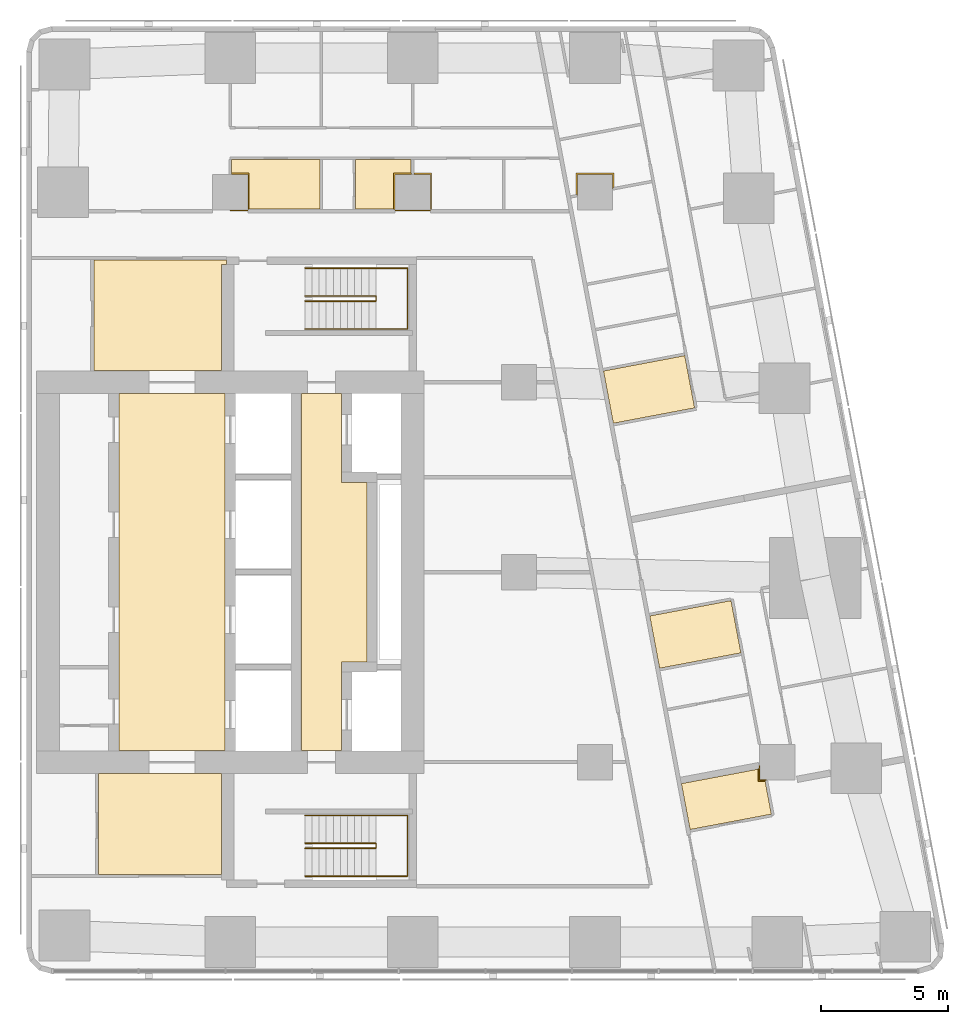
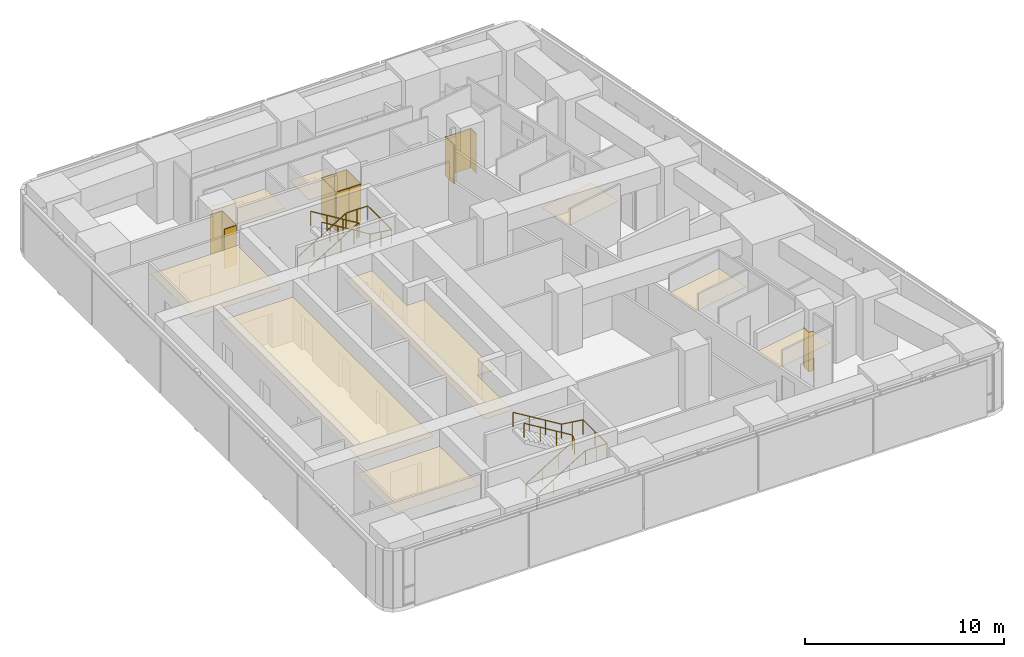
# One storey, part 11 of 11: 14 coverings, 4 railings.
"""IFC4 building model written with IfcOpenShell, lengths in metres."""

from ifc_helpers import new_model, si_unit, direction, frame, origin, origin_2d, place, context, subcontext, project, spatial, polyline, circle, outline, extrude, material, layer, layer_set, type_object, element, save


model = new_model("IFC4")

# Units and contexts
model_context = context("Model", 3, precision=1e-05, world=origin(), true_north=direction((0.0, 1.0)))
body_context = subcontext(model_context, "Body", "Model", "MODEL_VIEW")
ifc_project = project(units=[si_unit("LENGTHUNIT", "METRE"), si_unit("AREAUNIT", "SQUARE_METRE"), si_unit("VOLUMEUNIT", "CUBIC_METRE"), si_unit("PLANEANGLEUNIT", "RADIAN"), si_unit("MASSUNIT", "GRAM", prefix="KILO")], contexts=[model_context])

# Site, building, storey
site_placement = place(None, origin())
site = spatial("IfcSite", under=ifc_project, at=site_placement, CompositionType="ELEMENT")
building_placement = place(site_placement, origin())
building = spatial("IfcBuilding", under=site, at=building_placement, Name="Sheger Commons Tower", CompositionType="ELEMENT")
storey_placement = place(building_placement, frame((0.0, 0.0, 266.60009765625)))
storey = spatial("IfcBuildingStorey", under=building, at=storey_placement, Name="L68", CompositionType="ELEMENT", Elevation=266.60009765625)

# Railings
ifc_material_1 = material(Name="Steel handrail, black powder-coated", Category="steel")
railing_type = type_object("IfcRailingType", Name="HANDRAIL 900", PredefinedType="HANDRAIL", material=ifc_material_1)
railing_1_placement = place(storey_placement, frame((24.550048828125, 11.60009765625, 0.17041015625)))
element("IfcRailing", 1, at=railing_1_placement, inside=storey, type_object=railing_type, Name="Stair S1 handrail L68", PredefinedType="HANDRAIL", context=body_context, shape_type="SweptSolid", body=[
    extrude(circle(Radius=0.02392578125, at=origin_2d()), frame((0.0, 0.0, 0.8759765625), z_axis=(0.854169791009, 0.0, 0.51999420009), x_axis=(0.0, 1.0, 0.0)), (0.0, 0.0, 1.0), 3.278076171875),
    extrude(circle(Radius=0.02392578125, at=origin_2d()), frame((2.800048828125, 0.0, 2.58056640625), z_axis=(0.0, 0.761090297175, 0.648645943136), x_axis=(-1.0, 0.0, 0.0)), (0.0, 0.0, 1.0), 0.2626953125),
    extrude(circle(Radius=0.02392578125, at=origin_2d()), frame((2.800048828125, 0.199951171875, 2.7509765625), z_axis=(-0.854169791009, 0.0, 0.51999420009), x_axis=(0.0, -1.0, 0.0)), (0.0, 0.0, 1.0), 3.278076171875),
    extrude(circle(Radius=0.02099609375, at=origin_2d()), origin(), (0.0, 0.0, 1.0), 0.851806640625),
    extrude(circle(Radius=0.02099609375, at=origin_2d()), frame((0.933349609375, 0.0, 0.568115234375)), (0.0, 0.0, 1.0), 0.851806640625),
    extrude(circle(Radius=0.02099609375, at=origin_2d()), frame((1.86669921875, 0.0, 1.136474609375)), (0.0, 0.0, 1.0), 0.851806640625),
    extrude(circle(Radius=0.02099609375, at=origin_2d()), frame((2.800048828125, 0.0, 1.70458984375)), (0.0, 0.0, 1.0), 0.851806640625),
    extrude(circle(Radius=0.02099609375, at=origin_2d()), frame((2.800048828125, 0.199951171875, 1.875)), (0.0, 0.0, 1.0), 0.851806640625),
    extrude(circle(Radius=0.02099609375, at=origin_2d()), frame((1.86669921875, 0.199951171875, 2.443115234375)), (0.0, 0.0, 1.0), 0.851806640625),
    extrude(circle(Radius=0.02099609375, at=origin_2d()), frame((0.933349609375, 0.199951171875, 3.011474609375)), (0.0, 0.0, 1.0), 0.851806640625),
    extrude(circle(Radius=0.02099609375, at=origin_2d()), frame((0.0, 0.199951171875, 3.57958984375)), (0.0, 0.0, 1.0), 0.851806640625),
])
railing_2_placement = place(storey_placement, frame((24.550048828125, 10.5, 0.17041015625)))
element("IfcRailing", 2, at=railing_2_placement, inside=storey, type_object=railing_type, Name="Stair S1 handrail L68", PredefinedType="HANDRAIL", context=body_context, shape_type="SweptSolid", body=[
    extrude(circle(Radius=0.02392578125, at=origin_2d()), frame((0.0, 0.0, 0.8759765625), z_axis=(0.854169791009, 0.0, 0.51999420009), x_axis=(0.0, 1.0, 0.0)), (0.0, 0.0, 1.0), 3.278076171875),
    extrude(circle(Radius=0.02392578125, at=origin_2d()), frame((2.800048828125, 0.0, 2.58056640625), z_axis=(1.0, 0.0, 0.0), x_axis=(0.0, 1.0, 0.0)), (0.0, 0.0, 1.0), 1.25),
    extrude(circle(Radius=0.02392578125, at=origin_2d()), frame((4.050048828125, 0.0, 2.58056640625), z_axis=(0.0, 1.0, 0.0), x_axis=(-1.0, 0.0, 0.0)), (0.0, 0.0, 1.0), 2.39990234375),
    extrude(circle(Radius=0.02392578125, at=origin_2d()), frame((4.050048828125, 2.39990234375, 2.58056640625), z_axis=(-0.990834877927, 0.0, 0.135078661092), x_axis=(0.0, -1.0, 0.0)), (0.0, 0.0, 1.0), 1.261474609375),
    extrude(circle(Radius=0.02392578125, at=origin_2d()), frame((2.800048828125, 2.39990234375, 2.7509765625), z_axis=(-0.854169791009, 0.0, 0.51999420009), x_axis=(0.0, -1.0, 0.0)), (0.0, 0.0, 1.0), 3.278076171875),
    extrude(circle(Radius=0.02099609375, at=origin_2d()), origin(), (0.0, 0.0, 1.0), 0.851806640625),
    extrude(circle(Radius=0.02099609375, at=origin_2d()), frame((0.933349609375, 0.0, 0.568115234375)), (0.0, 0.0, 1.0), 0.851806640625),
    extrude(circle(Radius=0.02099609375, at=origin_2d()), frame((1.86669921875, 0.0, 1.136474609375)), (0.0, 0.0, 1.0), 0.851806640625),
    extrude(circle(Radius=0.02099609375, at=origin_2d()), frame((2.800048828125, 0.0, 1.70458984375)), (0.0, 0.0, 1.0), 0.851806640625),
    extrude(circle(Radius=0.02099609375, at=origin_2d()), frame((3.425048828125, 0.0, 1.70458984375)), (0.0, 0.0, 1.0), 0.851806640625),
    extrude(circle(Radius=0.02099609375, at=origin_2d()), frame((4.050048828125, 0.0, 1.70458984375)), (0.0, 0.0, 1.0), 0.851806640625),
    extrude(circle(Radius=0.02099609375, at=origin_2d()), frame((4.050048828125, 1.199951171875, 1.70458984375)), (0.0, 0.0, 1.0), 0.851806640625),
    extrude(circle(Radius=0.02099609375, at=origin_2d()), frame((4.050048828125, 2.39990234375, 1.70458984375)), (0.0, 0.0, 1.0), 0.851806640625),
    extrude(circle(Radius=0.02099609375, at=origin_2d()), frame((3.425048828125, 2.39990234375, 1.789794921875)), (0.0, 0.0, 1.0), 0.851806640625),
    extrude(circle(Radius=0.02099609375, at=origin_2d()), frame((2.800048828125, 2.39990234375, 1.875)), (0.0, 0.0, 1.0), 0.851806640625),
    extrude(circle(Radius=0.02099609375, at=origin_2d()), frame((1.86669921875, 2.39990234375, 2.443115234375)), (0.0, 0.0, 1.0), 0.851806640625),
    extrude(circle(Radius=0.02099609375, at=origin_2d()), frame((0.933349609375, 2.39990234375, 3.011474609375)), (0.0, 0.0, 1.0), 0.851806640625),
    extrude(circle(Radius=0.02099609375, at=origin_2d()), frame((0.0, 2.39990234375, 3.57958984375)), (0.0, 0.0, 1.0), 0.851806640625),
])
railing_3_placement = place(storey_placement, frame((24.550048828125, 33.39990234375, 0.17041015625)))
element("IfcRailing", 3, at=railing_3_placement, inside=storey, type_object=railing_type, Name="Stair S2 handrail L68", PredefinedType="HANDRAIL", context=body_context, shape_type="SweptSolid", body=[
    extrude(circle(Radius=0.02392578125, at=origin_2d()), frame((0.0, 0.0, 0.8759765625), z_axis=(0.854169791009, 0.0, 0.51999420009), x_axis=(0.0, 1.0, 0.0)), (0.0, 0.0, 1.0), 3.278076171875),
    extrude(circle(Radius=0.02392578125, at=origin_2d()), frame((2.800048828125, 0.0, 2.58056640625), z_axis=(0.0, -0.761090297175, 0.648645943136), x_axis=(1.0, 0.0, 0.0)), (0.0, 0.0, 1.0), 0.2626953125),
    extrude(circle(Radius=0.02392578125, at=origin_2d()), frame((2.800048828125, -0.199951171875, 2.7509765625), z_axis=(-0.854169791009, 0.0, 0.51999420009), x_axis=(0.0, -1.0, 0.0)), (0.0, 0.0, 1.0), 3.278076171875),
    extrude(circle(Radius=0.02099609375, at=origin_2d()), origin(), (0.0, 0.0, 1.0), 0.851806640625),
    extrude(circle(Radius=0.02099609375, at=origin_2d()), frame((0.933349609375, 0.0, 0.568115234375)), (0.0, 0.0, 1.0), 0.851806640625),
    extrude(circle(Radius=0.02099609375, at=origin_2d()), frame((1.86669921875, 0.0, 1.136474609375)), (0.0, 0.0, 1.0), 0.851806640625),
    extrude(circle(Radius=0.02099609375, at=origin_2d()), frame((2.800048828125, 0.0, 1.70458984375)), (0.0, 0.0, 1.0), 0.851806640625),
    extrude(circle(Radius=0.02099609375, at=origin_2d()), frame((2.800048828125, -0.199951171875, 1.875)), (0.0, 0.0, 1.0), 0.851806640625),
    extrude(circle(Radius=0.02099609375, at=origin_2d()), frame((1.86669921875, -0.199951171875, 2.443115234375)), (0.0, 0.0, 1.0), 0.851806640625),
    extrude(circle(Radius=0.02099609375, at=origin_2d()), frame((0.933349609375, -0.199951171875, 3.011474609375)), (0.0, 0.0, 1.0), 0.851806640625),
    extrude(circle(Radius=0.02099609375, at=origin_2d()), frame((0.0, -0.199951171875, 3.57958984375)), (0.0, 0.0, 1.0), 0.851806640625),
])
railing_4_placement = place(storey_placement, frame((24.550048828125, 34.5, 0.17041015625)))
element("IfcRailing", 4, at=railing_4_placement, inside=storey, type_object=railing_type, Name="Stair S2 handrail L68", PredefinedType="HANDRAIL", context=body_context, shape_type="SweptSolid", body=[
    extrude(circle(Radius=0.02392578125, at=origin_2d()), frame((0.0, 0.0, 0.8759765625), z_axis=(0.854169791009, 0.0, 0.51999420009), x_axis=(0.0, 1.0, 0.0)), (0.0, 0.0, 1.0), 3.278076171875),
    extrude(circle(Radius=0.02392578125, at=origin_2d()), frame((2.800048828125, 0.0, 2.58056640625), z_axis=(1.0, 0.0, 0.0), x_axis=(0.0, 1.0, 0.0)), (0.0, 0.0, 1.0), 1.25),
    extrude(circle(Radius=0.02392578125, at=origin_2d()), frame((4.050048828125, 0.0, 2.58056640625), z_axis=(0.0, -1.0, 0.0), x_axis=(1.0, 0.0, 0.0)), (0.0, 0.0, 1.0), 2.39990234375),
    extrude(circle(Radius=0.02392578125, at=origin_2d()), frame((4.050048828125, -2.39990234375, 2.58056640625), z_axis=(-0.990834877927, 0.0, 0.135078661092), x_axis=(0.0, -1.0, 0.0)), (0.0, 0.0, 1.0), 1.261474609375),
    extrude(circle(Radius=0.02392578125, at=origin_2d()), frame((2.800048828125, -2.39990234375, 2.7509765625), z_axis=(-0.854169791009, 0.0, 0.51999420009), x_axis=(0.0, -1.0, 0.0)), (0.0, 0.0, 1.0), 3.278076171875),
    extrude(circle(Radius=0.02099609375, at=origin_2d()), origin(), (0.0, 0.0, 1.0), 0.851806640625),
    extrude(circle(Radius=0.02099609375, at=origin_2d()), frame((0.933349609375, 0.0, 0.568115234375)), (0.0, 0.0, 1.0), 0.851806640625),
    extrude(circle(Radius=0.02099609375, at=origin_2d()), frame((1.86669921875, 0.0, 1.136474609375)), (0.0, 0.0, 1.0), 0.851806640625),
    extrude(circle(Radius=0.02099609375, at=origin_2d()), frame((2.800048828125, 0.0, 1.70458984375)), (0.0, 0.0, 1.0), 0.851806640625),
    extrude(circle(Radius=0.02099609375, at=origin_2d()), frame((3.425048828125, 0.0, 1.70458984375)), (0.0, 0.0, 1.0), 0.851806640625),
    extrude(circle(Radius=0.02099609375, at=origin_2d()), frame((4.050048828125, 0.0, 1.70458984375)), (0.0, 0.0, 1.0), 0.851806640625),
    extrude(circle(Radius=0.02099609375, at=origin_2d()), frame((4.050048828125, -1.199951171875, 1.70458984375)), (0.0, 0.0, 1.0), 0.851806640625),
    extrude(circle(Radius=0.02099609375, at=origin_2d()), frame((4.050048828125, -2.39990234375, 1.70458984375)), (0.0, 0.0, 1.0), 0.851806640625),
    extrude(circle(Radius=0.02099609375, at=origin_2d()), frame((3.425048828125, -2.39990234375, 1.789794921875)), (0.0, 0.0, 1.0), 0.851806640625),
    extrude(circle(Radius=0.02099609375, at=origin_2d()), frame((2.800048828125, -2.39990234375, 1.875)), (0.0, 0.0, 1.0), 0.851806640625),
    extrude(circle(Radius=0.02099609375, at=origin_2d()), frame((1.86669921875, -2.39990234375, 2.443115234375)), (0.0, 0.0, 1.0), 0.851806640625),
    extrude(circle(Radius=0.02099609375, at=origin_2d()), frame((0.933349609375, -2.39990234375, 3.011474609375)), (0.0, 0.0, 1.0), 0.851806640625),
    extrude(circle(Radius=0.02099609375, at=origin_2d()), frame((0.0, -2.39990234375, 3.57958984375)), (0.0, 0.0, 1.0), 0.851806640625),
])

# Coverings
ifc_material_2 = material(Name="Moisture-resistant gypsum plasterboard 15 mm on a suspended galvanised steel grid", Category="steel")
ifc_layer_1 = layer(ifc_material_2, 0.014892578125)
ifc_layer_set_1 = layer_set([ifc_layer_1], Name="MOISTURE-RESISTANT CEILING 15")
covering_type_1 = type_object("IfcCoveringType", Name="MOISTURE-RESISTANT CEILING 15", PredefinedType="CEILING", material=ifc_layer_set_1)
covering_1_placement = place(storey_placement, frame((0.0, 0.0, 2.39990234375)))
element("IfcCovering", 5, at=covering_1_placement, inside=storey, type_object=covering_type_1, Name="L68-01.B1 ceiling", PredefinedType="CEILING", context=body_context, shape_type="SweptSolid", body=[
    extrude(outline(polyline([(36.72509765625, 28.37890625), (39.93310546875, 28.986083984375), (39.54296875, 31.049072265625), (36.3349609375, 30.443115234375), (36.72509765625, 28.37890625)])), origin(), (0.0, 0.0, 1.0), 0.014892578125),
])
covering_2_placement = place(storey_placement, frame((0.0, 0.0, 2.39990234375)))
element("IfcCovering", 6, at=covering_2_placement, inside=storey, type_object=covering_type_1, Name="L68-02.B1 ceiling", PredefinedType="CEILING", context=body_context, shape_type="SweptSolid", body=[
    extrude(outline(polyline([(38.552001953125, 18.7080078125), (41.760009765625, 19.31396484375), (41.3701171875, 21.3779296875), (38.162109375, 20.77197265625), (38.552001953125, 18.7080078125)])), origin(), (0.0, 0.0, 1.0), 0.014892578125),
])
covering_3_placement = place(storey_placement, frame((0.0, 0.0, 2.39990234375)))
element("IfcCovering", 7, at=covering_3_placement, inside=storey, type_object=covering_type_1, Name="L68-03.B1 ceiling", PredefinedType="CEILING", context=body_context, shape_type="SweptSolid", body=[
    extrude(outline(polyline([(39.7548828125, 12.340087890625), (42.962890625, 12.946044921875), (42.7099609375, 14.284912109375), (42.7529296875, 14.29296875), (42.7529296875, 14.294921875), (42.4951171875, 14.294921875), (42.4951171875, 14.73388671875), (39.412109375, 14.152099609375), (39.7548828125, 12.340087890625)])), origin(), (0.0, 0.0, 1.0), 0.014892578125),
])
covering_4_placement = place(storey_placement, frame((0.0, 0.0, 2.39990234375)))
element("IfcCovering", 8, at=covering_4_placement, inside=storey, type_object=covering_type_1, Name="L68-04.B1 ceiling", PredefinedType="CEILING", context=body_context, shape_type="SweptSolid", body=[
    extrude(outline(polyline([(22.304931640625, 36.830078125), (25.14501953125, 36.830078125), (25.14501953125, 38.794921875), (21.655029296875, 38.794921875), (21.655029296875, 38.205078125), (22.304931640625, 38.205078125), (22.304931640625, 36.830078125)])), origin(), (0.0, 0.0, 1.0), 0.014892578125),
])
covering_5_placement = place(storey_placement, frame((0.0, 0.0, 2.39990234375)))
element("IfcCovering", 9, at=covering_5_placement, inside=storey, type_object=covering_type_1, Name="L68-04.B2 ceiling", PredefinedType="CEILING", context=body_context, shape_type="SweptSolid", body=[
    extrude(outline(polyline([(26.554931640625, 36.830078125), (28.094970703125, 36.830078125), (28.094970703125, 38.205078125), (28.7451171875, 38.205078125), (28.7451171875, 38.794921875), (26.554931640625, 38.794921875), (26.554931640625, 36.830078125)])), origin(), (0.0, 0.0, 1.0), 0.014892578125),
])
ifc_material_3 = material(Name="Gypsum plasterboard 15 mm on a suspended steel grid", Category="steel")
ifc_layer_2 = layer(ifc_material_3, 0.014892578125)
ifc_layer_set_2 = layer_set([ifc_layer_2], Name="SUSPENDED CEILING 15")
covering_type_2 = type_object("IfcCoveringType", Name="SUSPENDED CEILING 15", PredefinedType="CEILING", material=ifc_layer_set_2)
covering_6_placement = place(storey_placement, frame((0.0, 0.0, 2.699951171875)))
element("IfcCovering", 10, at=covering_6_placement, inside=storey, type_object=covering_type_2, Name="L68-SVS1 ceiling", PredefinedType="CEILING", context=body_context, shape_type="SweptSolid", body=[
    extrude(outline(polyline([(16.406982421875, 10.568115234375), (21.2451171875, 10.568115234375), (21.2451171875, 14.544921875), (16.406982421875, 14.544921875), (16.406982421875, 10.568115234375)])), origin(), (0.0, 0.0, 1.0), 0.014892578125),
])
covering_7_placement = place(storey_placement, frame((0.0, 0.0, 2.699951171875)))
element("IfcCovering", 11, at=covering_7_placement, inside=storey, type_object=covering_type_2, Name="L68-SVN1 ceiling", PredefinedType="CEILING", context=body_context, shape_type="SweptSolid", body=[
    extrude(outline(polyline([(16.217041015625, 30.455078125), (21.2451171875, 30.455078125), (21.2451171875, 34.655029296875), (21.445068359375, 34.655029296875), (21.445068359375, 34.83203125), (16.217041015625, 34.83203125), (16.217041015625, 30.455078125)])), origin(), (0.0, 0.0, 1.0), 0.014892578125),
])
covering_8_placement = place(storey_placement, frame((0.0, 0.0, 2.699951171875)))
element("IfcCovering", 12, at=covering_8_placement, inside=storey, type_object=covering_type_2, Name="L68-LL ceiling", PredefinedType="CEILING", context=body_context, shape_type="SweptSolid", body=[
    extrude(outline(polyline([(17.205078125, 15.455078125), (21.39990234375, 15.455078125), (21.39990234375, 29.544921875), (17.205078125, 29.544921875), (17.205078125, 15.455078125)])), origin(), (0.0, 0.0, 1.0), 0.014892578125),
])
covering_9_placement = place(storey_placement, frame((0.0, 0.0, 2.699951171875)))
element("IfcCovering", 13, at=covering_9_placement, inside=storey, type_object=covering_type_2, Name="L68-FL ceiling", PredefinedType="CEILING", context=body_context, shape_type="SweptSolid", body=[
    extrude(outline(polyline([(24.405029296875, 15.455078125), (25.9951171875, 15.455078125), (25.9951171875, 18.955078125), (26.9951171875, 18.955078125), (26.9951171875, 26.044921875), (25.9951171875, 26.044921875), (25.9951171875, 29.544921875), (24.405029296875, 29.544921875), (24.405029296875, 15.455078125)])), origin(), (0.0, 0.0, 1.0), 0.014892578125),
])
ifc_material_4 = material(Name="Moisture-resistant gypsum board 12.5 mm on 25 mm treated timber battens, tanked and tiled", Category="wood")
ifc_layer_3 = layer(ifc_material_4, 0.050048828125)
ifc_layer_set_3 = layer_set([ifc_layer_3], Name="WET-ROOM COLUMN LINING")
covering_type_3 = type_object("IfcCoveringType", Name="WET-ROOM COLUMN LINING", PredefinedType="CLADDING", material=ifc_layer_set_3)
covering_10_placement = place(storey_placement, origin())
element("IfcCovering", 14, at=covering_10_placement, inside=storey, type_object=covering_type_3, Name="Shower room column lining C11 L68", PredefinedType="CLADDING", context=body_context, shape_type="SweptSolid", body=[
    extrude(outline(polyline([(42.5, 14.866943359375), (42.5, 14.300048828125), (42.762939453125, 14.300048828125), (42.764892578125, 14.2900390625), (42.716064453125, 14.281005859375), (42.721923828125, 14.25), (42.449951171875, 14.25), (42.449951171875, 14.73095703125), (42.4990234375, 14.739990234375), (42.47607421875, 14.862060546875), (42.5, 14.866943359375)])), origin(), (0.0, 0.0, 1.0), 2.39990234375),
])
covering_11_placement = place(storey_placement, origin())
element("IfcCovering", 15, at=covering_11_placement, inside=storey, type_object=covering_type_3, Name="Bathroom column lining C11 L68", PredefinedType="CLADDING", context=body_context, shape_type="SweptSolid", body=[
    extrude(outline(polyline([(22.35009765625, 36.824951171875), (22.301025390625, 36.824951171875), (22.301025390625, 36.75), (21.60009765625, 36.75), (21.60009765625, 36.800048828125), (22.300048828125, 36.800048828125), (22.300048828125, 38.199951171875), (21.60009765625, 38.199951171875), (21.60009765625, 38.200927734375), (21.64990234375, 38.200927734375), (21.64990234375, 38.25), (22.35009765625, 38.25), (22.35009765625, 36.824951171875)])), origin(), (0.0, 0.0, 1.0), 2.39990234375),
])
covering_12_placement = place(storey_placement, origin())
element("IfcCovering", 16, at=covering_12_placement, inside=storey, type_object=covering_type_3, Name="Shower room column lining C11 L68", PredefinedType="CLADDING", context=body_context, shape_type="SweptSolid", body=[
    extrude(outline(polyline([(28.75, 38.25), (28.75, 38.200927734375), (28.800048828125, 38.200927734375), (28.800048828125, 38.199951171875), (28.10009765625, 38.199951171875), (28.10009765625, 36.800048828125), (28.800048828125, 36.800048828125), (28.800048828125, 36.75), (28.09912109375, 36.75), (28.09912109375, 36.824951171875), (28.050048828125, 36.824951171875), (28.050048828125, 38.25), (28.75, 38.25)])), origin(), (0.0, 0.0, 1.0), 2.39990234375),
])
covering_13_placement = place(storey_placement, origin())
element("IfcCovering", 17, at=covering_13_placement, inside=storey, type_object=covering_type_3, Name="Laundry room column lining C11 L68", PredefinedType="CLADDING", context=body_context, shape_type="SweptSolid", body=[
    extrude(outline(polyline([(29.550048828125, 36.824951171875), (29.5009765625, 36.824951171875), (29.5009765625, 36.75), (28.800048828125, 36.75), (28.800048828125, 36.800048828125), (29.5, 36.800048828125), (29.5, 38.199951171875), (28.800048828125, 38.199951171875), (28.800048828125, 38.200927734375), (28.85009765625, 38.200927734375), (28.85009765625, 38.25), (29.550048828125, 38.25), (29.550048828125, 36.824951171875)])), origin(), (0.0, 0.0, 1.0), 2.39990234375),
])
covering_14_placement = place(storey_placement, origin())
element("IfcCovering", 18, at=covering_14_placement, inside=storey, type_object=covering_type_3, Name="Laundry room column lining C11 L68", PredefinedType="CLADDING", context=body_context, shape_type="SweptSolid", body=[
    extrude(outline(polyline([(36.75, 38.25), (36.75, 37.69189453125), (36.700927734375, 37.68310546875), (36.7099609375, 37.635009765625), (36.699951171875, 37.633056640625), (36.699951171875, 38.199951171875), (35.300048828125, 38.199951171875), (35.300048828125, 37.367919921875), (35.2900390625, 37.365966796875), (35.281005859375, 37.4150390625), (35.25, 37.408935546875), (35.25, 38.25), (36.75, 38.25)])), origin(), (0.0, 0.0, 1.0), 2.39990234375),
])

save(model, "model.ifc")
